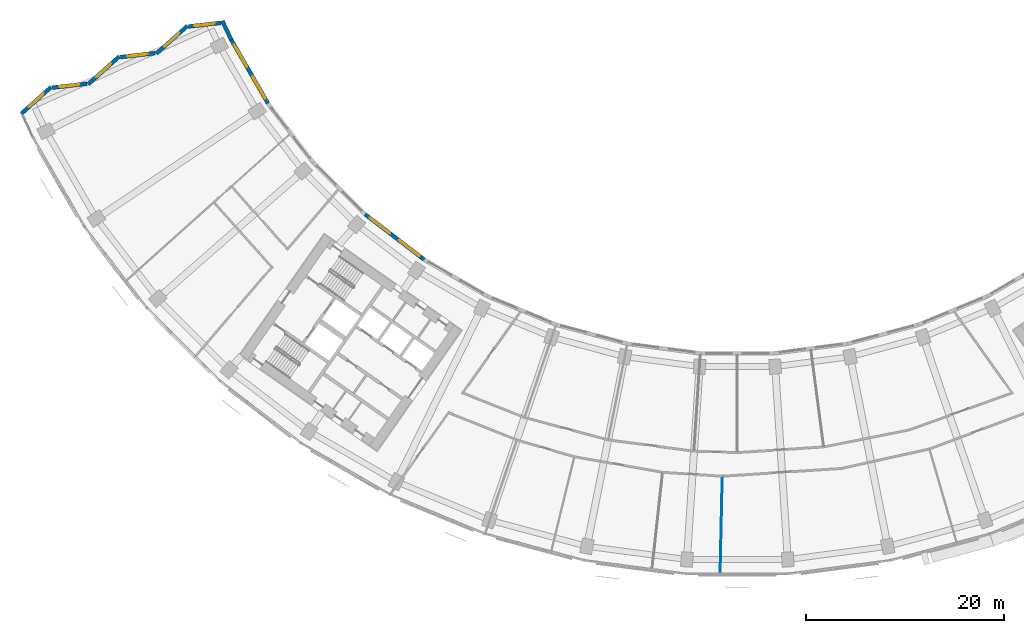
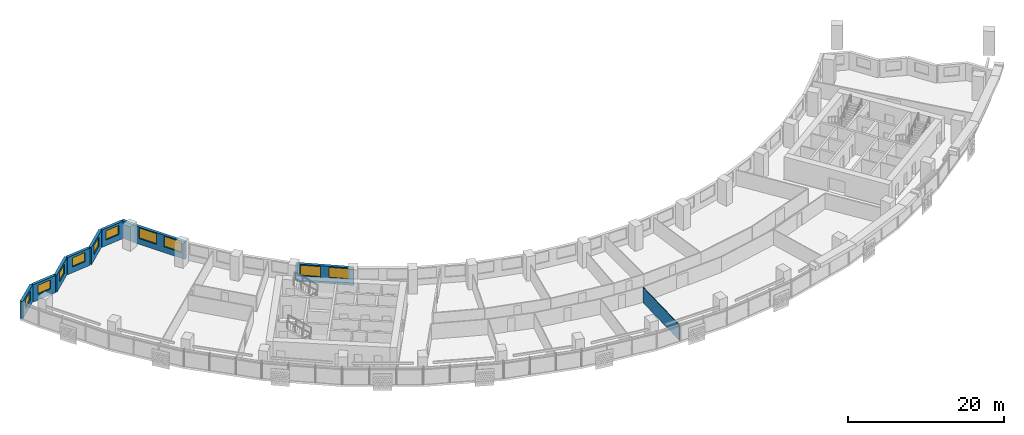
# One storey, part 5 of 29: 10 walls, 10 windows, 10 openings.
"""IFC4 building model written with IfcOpenShell, lengths in metres."""

from ifc_helpers import new_model, si_unit, direction, frame, frame_2d, origin, place, context, subcontext, project, spatial, rectangle, extrude, material, layer, layer_set, type_object, element, fill, save


model = new_model("IFC4")

# Units and contexts
model_context = context("Model", 3, precision=1e-05, world=origin(), true_north=direction((0.0, 1.0)))
body_context = subcontext(model_context, "Body", "Model", "MODEL_VIEW")
ifc_project = project(units=[si_unit("LENGTHUNIT", "METRE"), si_unit("AREAUNIT", "SQUARE_METRE"), si_unit("VOLUMEUNIT", "CUBIC_METRE"), si_unit("PLANEANGLEUNIT", "RADIAN"), si_unit("MASSUNIT", "GRAM", prefix="KILO")], contexts=[model_context])

# Site, building, storey
site_placement = place(None, origin())
site = spatial("IfcSite", under=ifc_project, at=site_placement, CompositionType="ELEMENT")
building_placement = place(site_placement, origin())
building = spatial("IfcBuilding", under=site, at=building_placement, Name="Qamariyya Broadcast Tower", CompositionType="ELEMENT")
storey_placement = place(building_placement, frame((0.0, 0.0, 121.5)))
storey = spatial("IfcBuildingStorey", under=building, at=storey_placement, Name="L27", CompositionType="ELEMENT", Elevation=121.5)

# Wall
ifc_material_1 = material(Name="Gypsum board partition")
ifc_layer_1 = layer(ifc_material_1, 0.10009765625)
ifc_layer_set_1 = layer_set([ifc_layer_1], Name="Partition 100")
wall_type_1 = type_object("IfcWallType", Name="Partition 100", PredefinedType="PARTITIONING", material=ifc_layer_set_1)
wall_1_placement = place(storey_placement, frame((-1.724365234375, -78.93017578125, 0.0), z_axis=(0.0, 0.0, 1.0), x_axis=(0.021829960086, 0.999761698027, 0.0)))
element("IfcWall", 1, at=wall_1_placement, inside=storey, type_object=wall_type_1, Name="Partition L27-024", PredefinedType="PARTITIONING", context=body_context, shape_type="SweptSolid", body=[
    extrude(rectangle(XDim=9.673828125, YDim=0.10009765625, at=frame_2d((4.8369140625, 0.0))), origin(), (0.0, 0.0, 1.0), 2.39990234375),
])

# Wall, opening, window
ifc_material_2 = material(Name="Terracotta", Category="masonry")
ifc_layer_2 = layer(ifc_material_2, 0.39990234375)
ifc_layer_set_2 = layer_set([ifc_layer_2], Name="Terracotta clad wall 400")
wall_type_2 = type_object("IfcWallType", Name="Terracotta clad wall 400", PredefinedType="SOLIDWALL", material=ifc_layer_set_2)
wall_2_placement = place(storey_placement, frame((-52.099853515625, -23.4541015625, 0.0), z_axis=(0.0, 0.0, 1.0), x_axis=(-0.993679350529, -0.112255727395, 0.0)))
wall_2 = element("IfcWall", 2, at=wall_2_placement, inside=storey, type_object=wall_type_2, Name="e-wl-L27-capW0", PredefinedType="SOLIDWALL", context=body_context, shape_type="SweptSolid", body=[
    extrude(rectangle(XDim=3.275390625, YDim=0.39990234375, at=frame_2d((1.6376953125, 0.0))), origin(), (0.0, 0.0, 1.0), 2.699951171875),
])
opening_1_placement = place(wall_2_placement, frame((0.6376953125, 0.0, 0.89990234375)))
opening_1 = element("IfcOpeningElement", 3, at=opening_1_placement, cuts=wall_2, Name="Opening W4", PredefinedType="OPENING", context=body_context, shape_type="SweptSolid", body=[
    extrude(rectangle(XDim=2.0, YDim=1.425048828125, at=frame_2d((1.0, 0.71240234375))), frame((0.0, 0.2099609375, 0.0), z_axis=(0.0, -1.0, 0.0), x_axis=(1.0, 0.0, 0.0)), (0.0, 0.0, 1.0), 0.419921875),
])
ifc_material_3 = material(Name="Clear low-e double glazed unit in aluminium frame", Category="aluminium")
window_type_1 = type_object("IfcWindowType", Name="Horn bay window 2000 x 1425", PartitioningType="SINGLE_PANEL", PredefinedType="WINDOW", material=ifc_material_3)
window_1_placement = place(opening_1_placement, origin())
window_1 = element("IfcWindow", 4, at=window_1_placement, inside=storey, type_object=window_type_1, Name="e-w-L27-capW0", OverallHeight=1.425048828125, OverallWidth=2.0, PartitioningType="SINGLE_PANEL", PredefinedType="WINDOW", context=body_context, shape_type="SweptSolid", body=[
    extrude(rectangle(XDim=2.0, YDim=1.425048828125, at=frame_2d((1.0, 0.71240234375))), frame((0.0, 0.030029296875, 0.0), z_axis=(0.0, -1.0, 0.0), x_axis=(1.0, 0.0, 0.0)), (0.0, 0.0, 1.0), 0.06005859375),
])
fill(opening_1, window_1)

wall_3_placement = place(storey_placement, frame((-55.476806640625, -23.7685546875, 0.0), z_axis=(0.0, 0.0, 1.0), x_axis=(-0.745659792419, -0.666326852206, 0.0)))
wall_3 = element("IfcWall", 5, at=wall_3_placement, inside=storey, type_object=wall_type_2, Name="e-wl-L27-capW1", PredefinedType="SOLIDWALL", context=body_context, shape_type="SweptSolid", body=[
    extrude(rectangle(XDim=4.194580078125, YDim=0.39990234375, at=frame_2d((2.09716796875, 0.0))), origin(), (0.0, 0.0, 1.0), 2.699951171875),
])
opening_2_placement = place(wall_3_placement, frame((1.09716796875, 0.0, 0.89990234375)))
opening_2 = element("IfcOpeningElement", 6, at=opening_2_placement, cuts=wall_3, Name="Opening W4", PredefinedType="OPENING", context=body_context, shape_type="SweptSolid", body=[
    extrude(rectangle(XDim=2.0, YDim=1.425048828125, at=frame_2d((1.0, 0.71240234375))), frame((0.0, 0.2099609375, 0.0), z_axis=(0.0, -1.0, 0.0), x_axis=(1.0, 0.0, 0.0)), (0.0, 0.0, 1.0), 0.419921875),
])
window_2_placement = place(opening_2_placement, origin())
window_2 = element("IfcWindow", 7, at=window_2_placement, inside=storey, type_object=window_type_1, Name="e-w-L27-capW1", OverallHeight=1.425048828125, OverallWidth=2.0, PartitioningType="SINGLE_PANEL", PredefinedType="WINDOW", context=body_context, shape_type="SweptSolid", body=[
    extrude(rectangle(XDim=2.0, YDim=1.425048828125, at=frame_2d((1.0, 0.71240234375))), frame((0.0, 0.030029296875, 0.0), z_axis=(0.0, -1.0, 0.0), x_axis=(1.0, 0.0, 0.0)), (0.0, 0.0, 1.0), 0.06005859375),
])
fill(opening_2, window_2)

wall_4_placement = place(storey_placement, frame((-58.7265625, -26.51025390625, 0.0), z_axis=(0.0, 0.0, 1.0), x_axis=(-0.993669026576, -0.112347076614, 0.0)))
wall_4 = element("IfcWall", 8, at=wall_4_placement, inside=storey, type_object=wall_type_2, Name="e-wl-L27-capW2", PredefinedType="SOLIDWALL", context=body_context, shape_type="SweptSolid", body=[
    extrude(rectangle(XDim=3.524658203125, YDim=0.39990234375, at=frame_2d((1.76220703125, 0.0))), origin(), (0.0, 0.0, 1.0), 2.699951171875),
])
opening_3_placement = place(wall_4_placement, frame((0.762451171875, 0.0, 0.89990234375)))
opening_3 = element("IfcOpeningElement", 9, at=opening_3_placement, cuts=wall_4, Name="Opening W4", PredefinedType="OPENING", context=body_context, shape_type="SweptSolid", body=[
    extrude(rectangle(XDim=2.0, YDim=1.425048828125, at=frame_2d((1.0, 0.71240234375))), frame((0.0, 0.2099609375, 0.0), z_axis=(0.0, -1.0, 0.0), x_axis=(1.0, 0.0, 0.0)), (0.0, 0.0, 1.0), 0.419921875),
])
window_3_placement = place(opening_3_placement, origin())
window_3 = element("IfcWindow", 10, at=window_3_placement, inside=storey, type_object=window_type_1, Name="e-w-L27-capW2", OverallHeight=1.425048828125, OverallWidth=2.0, PartitioningType="SINGLE_PANEL", PredefinedType="WINDOW", context=body_context, shape_type="SweptSolid", body=[
    extrude(rectangle(XDim=2.0, YDim=1.425048828125, at=frame_2d((1.0, 0.71240234375))), frame((0.0, 0.030029296875, 0.0), z_axis=(0.0, -1.0, 0.0), x_axis=(1.0, 0.0, 0.0)), (0.0, 0.0, 1.0), 0.06005859375),
])
fill(opening_3, window_3)

wall_5_placement = place(storey_placement, frame((-62.35107421875, -26.85302734375, 0.0), z_axis=(0.0, 0.0, 1.0), x_axis=(-0.745588393591, -0.66640674317, 0.0)))
wall_5 = element("IfcWall", 11, at=wall_5_placement, inside=storey, type_object=wall_type_2, Name="e-wl-L27-capW3", PredefinedType="SOLIDWALL", context=body_context, shape_type="SweptSolid", body=[
    extrude(rectangle(XDim=4.193359375, YDim=0.39990234375, at=frame_2d((2.0966796875, 0.0))), origin(), (0.0, 0.0, 1.0), 2.699951171875),
])
opening_4_placement = place(wall_5_placement, frame((1.0966796875, 0.0, 0.89990234375)))
opening_4 = element("IfcOpeningElement", 12, at=opening_4_placement, cuts=wall_5, Name="Opening W4", PredefinedType="OPENING", context=body_context, shape_type="SweptSolid", body=[
    extrude(rectangle(XDim=2.0, YDim=1.425048828125, at=frame_2d((1.0, 0.71240234375))), frame((0.0, 0.2099609375, 0.0), z_axis=(0.0, -1.0, 0.0), x_axis=(1.0, 0.0, 0.0)), (0.0, 0.0, 1.0), 0.419921875),
])
window_4_placement = place(opening_4_placement, origin())
window_4 = element("IfcWindow", 13, at=window_4_placement, inside=storey, type_object=window_type_1, Name="e-w-L27-capW3", OverallHeight=1.425048828125, OverallWidth=2.0, PartitioningType="SINGLE_PANEL", PredefinedType="WINDOW", context=body_context, shape_type="SweptSolid", body=[
    extrude(rectangle(XDim=2.0, YDim=1.425048828125, at=frame_2d((1.0, 0.71240234375))), frame((0.0, 0.030029296875, 0.0), z_axis=(0.0, -1.0, 0.0), x_axis=(1.0, 0.0, 0.0)), (0.0, 0.0, 1.0), 0.06005859375),
])
fill(opening_4, window_4)

wall_6_placement = place(storey_placement, frame((-65.599609375, -29.59423828125, 0.0), z_axis=(0.0, 0.0, 1.0), x_axis=(-0.993664791657, -0.11238452661, 0.0)))
wall_6 = element("IfcWall", 14, at=wall_6_placement, inside=storey, type_object=wall_type_2, Name="e-wl-L27-capW4", PredefinedType="SOLIDWALL", context=body_context, shape_type="SweptSolid", body=[
    extrude(rectangle(XDim=3.525634765625, YDim=0.39990234375, at=frame_2d((1.7626953125, 0.0))), origin(), (0.0, 0.0, 1.0), 2.699951171875),
])
opening_5_placement = place(wall_6_placement, frame((0.762939453125, 0.0, 0.89990234375)))
opening_5 = element("IfcOpeningElement", 15, at=opening_5_placement, cuts=wall_6, Name="Opening W4", PredefinedType="OPENING", context=body_context, shape_type="SweptSolid", body=[
    extrude(rectangle(XDim=2.0, YDim=1.425048828125, at=frame_2d((1.0, 0.71240234375))), frame((0.0, 0.2099609375, 0.0), z_axis=(0.0, -1.0, 0.0), x_axis=(1.0, 0.0, 0.0)), (0.0, 0.0, 1.0), 0.419921875),
])
window_5_placement = place(opening_5_placement, origin())
window_5 = element("IfcWindow", 16, at=window_5_placement, inside=storey, type_object=window_type_1, Name="e-w-L27-capW4", OverallHeight=1.425048828125, OverallWidth=2.0, PartitioningType="SINGLE_PANEL", PredefinedType="WINDOW", context=body_context, shape_type="SweptSolid", body=[
    extrude(rectangle(XDim=2.0, YDim=1.425048828125, at=frame_2d((1.0, 0.71240234375))), frame((0.0, 0.030029296875, 0.0), z_axis=(0.0, -1.0, 0.0), x_axis=(1.0, 0.0, 0.0)), (0.0, 0.0, 1.0), 0.06005859375),
])
fill(opening_5, window_5)

wall_7_placement = place(storey_placement, frame((-69.225341796875, -29.937255859375, 0.0), z_axis=(0.0, 0.0, 1.0), x_axis=(-0.745540338134, -0.666460504618, 0.0)))
wall_7 = element("IfcWall", 17, at=wall_7_placement, inside=storey, type_object=wall_type_2, Name="e-wl-L27-capW5", PredefinedType="SOLIDWALL", context=body_context, shape_type="SweptSolid", body=[
    extrude(rectangle(XDim=4.013427734375, YDim=0.39990234375, at=frame_2d((2.0068359375, 0.0))), origin(), (0.0, 0.0, 1.0), 2.699951171875),
])
opening_6_placement = place(wall_7_placement, frame((1.0068359375, 0.0, 0.89990234375)))
opening_6 = element("IfcOpeningElement", 18, at=opening_6_placement, cuts=wall_7, Name="Opening W4", PredefinedType="OPENING", context=body_context, shape_type="SweptSolid", body=[
    extrude(rectangle(XDim=2.0, YDim=1.425048828125, at=frame_2d((1.0, 0.71240234375))), frame((0.0, 0.2099609375, 0.0), z_axis=(0.0, -1.0, 0.0), x_axis=(1.0, 0.0, 0.0)), (0.0, 0.0, 1.0), 0.419921875),
])
window_6_placement = place(opening_6_placement, origin())
window_6 = element("IfcWindow", 19, at=window_6_placement, inside=storey, type_object=window_type_1, Name="e-w-L27-capW5", OverallHeight=1.425048828125, OverallWidth=2.0, PartitioningType="SINGLE_PANEL", PredefinedType="WINDOW", context=body_context, shape_type="SweptSolid", body=[
    extrude(rectangle(XDim=2.0, YDim=1.425048828125, at=frame_2d((1.0, 0.71240234375))), frame((0.0, 0.030029296875, 0.0), z_axis=(0.0, -1.0, 0.0), x_axis=(1.0, 0.0, 0.0)), (0.0, 0.0, 1.0), 0.06005859375),
])
fill(opening_6, window_6)

# Wall
wall_8_placement = place(storey_placement, frame((-51.023681640625, -25.18408203125, 0.0), z_axis=(0.0, 0.0, 1.0), x_axis=(-0.425890738809, 0.90477460099, 0.0)))
element("IfcWall", 20, at=wall_8_placement, inside=storey, type_object=wall_type_2, Name="e-wl-L27-in00", PredefinedType="SOLIDWALL", context=body_context, shape_type="SweptSolid", body=[
    extrude(rectangle(XDim=2.133056640625, YDim=0.39990234375, at=frame_2d((1.06640625, 0.0))), origin(), (0.0, 0.0, 1.0), 2.699951171875),
])

# Wall, openings, windows
wall_9_placement = place(storey_placement, frame((-47.33642578125, -31.568359375, 0.0), z_axis=(0.0, 0.0, 1.0), x_axis=(-0.499990592807, 0.866030834962, 0.0)))
wall_9 = element("IfcWall", 21, at=wall_9_placement, inside=storey, type_object=wall_type_2, Name="e-wl-L27-in10", PredefinedType="SOLIDWALL", context=body_context, shape_type="SweptSolid", body=[
    extrude(rectangle(XDim=7.356201171875, YDim=0.39990234375, at=frame_2d((3.67822265625, 0.0))), origin(), (0.0, 0.0, 1.0), 2.699951171875),
])
opening_7_placement = place(wall_9_placement, frame((4.224853515625, 0.0, 0.89990234375)))
opening_7 = element("IfcOpeningElement", 22, at=opening_7_placement, cuts=wall_9, Name="Opening W1", PredefinedType="OPENING", context=body_context, shape_type="SweptSolid", body=[
    extrude(rectangle(XDim=2.60009765625, YDim=1.64990234375, at=frame_2d((1.300048828125, 0.824951171875))), frame((0.0, 0.2099609375, 0.0), z_axis=(0.0, -1.0, 0.0), x_axis=(1.0, 0.0, 0.0)), (0.0, 0.0, 1.0), 0.419921875),
])
opening_8_placement = place(wall_9_placement, frame((0.5166015625, 0.0, 0.89990234375)))
opening_8 = element("IfcOpeningElement", 23, at=opening_8_placement, cuts=wall_9, Name="Opening W1", PredefinedType="OPENING", context=body_context, shape_type="SweptSolid", body=[
    extrude(rectangle(XDim=2.60009765625, YDim=1.64990234375, at=frame_2d((1.300048828125, 0.824951171875))), frame((0.0, 0.2099609375, 0.0), z_axis=(0.0, -1.0, 0.0), x_axis=(1.0, 0.0, 0.0)), (0.0, 0.0, 1.0), 0.419921875),
])
window_type_2 = type_object("IfcWindowType", Name="Ribbon window 2600 x 1650", PartitioningType="SINGLE_PANEL", PredefinedType="WINDOW", material=ifc_material_3)
window_7_placement = place(opening_7_placement, origin())
window_7 = element("IfcWindow", 24, at=window_7_placement, inside=storey, type_object=window_type_2, Name="e-w-L27-in01-0", OverallHeight=1.64990234375, OverallWidth=2.60009765625, PartitioningType="SINGLE_PANEL", PredefinedType="WINDOW", context=body_context, shape_type="SweptSolid", body=[
    extrude(rectangle(XDim=2.60009765625, YDim=1.64990234375, at=frame_2d((1.300048828125, 0.824951171875))), frame((0.0, 0.030029296875, 0.0), z_axis=(0.0, -1.0, 0.0), x_axis=(1.0, 0.0, 0.0)), (0.0, 0.0, 1.0), 0.06005859375),
])
fill(opening_7, window_7)
window_8_placement = place(opening_8_placement, origin())
window_8 = element("IfcWindow", 25, at=window_8_placement, inside=storey, type_object=window_type_2, Name="e-w-L27-in01-1", OverallHeight=1.64990234375, OverallWidth=2.60009765625, PartitioningType="SINGLE_PANEL", PredefinedType="WINDOW", context=body_context, shape_type="SweptSolid", body=[
    extrude(rectangle(XDim=2.60009765625, YDim=1.64990234375, at=frame_2d((1.300048828125, 0.824951171875))), frame((0.0, 0.030029296875, 0.0), z_axis=(0.0, -1.0, 0.0), x_axis=(1.0, 0.0, 0.0)), (0.0, 0.0, 1.0), 0.06005859375),
])
fill(opening_8, window_8)

wall_10_placement = place(storey_placement, frame((-31.59228515625, -47.326171875, 0.0), z_axis=(0.0, 0.0, 1.0), x_axis=(-0.793363487476, 0.608748204711, 0.0)))
wall_10 = element("IfcWall", 26, at=wall_10_placement, inside=storey, type_object=wall_type_2, Name="e-wl-L27-in40", PredefinedType="SOLIDWALL", context=body_context, shape_type="SweptSolid", body=[
    extrude(rectangle(XDim=7.492919921875, YDim=0.39990234375, at=frame_2d((3.74658203125, 0.0))), origin(), (0.0, 0.0, 1.0), 2.699951171875),
])
opening_9_placement = place(wall_10_placement, frame((4.300537109375, 0.0, 0.89990234375)))
opening_9 = element("IfcOpeningElement", 27, at=opening_9_placement, cuts=wall_10, Name="Opening W1", PredefinedType="OPENING", context=body_context, shape_type="SweptSolid", body=[
    extrude(rectangle(XDim=2.60009765625, YDim=1.64990234375, at=frame_2d((1.300048828125, 0.824951171875))), frame((0.0, 0.2099609375, 0.0), z_axis=(0.0, -1.0, 0.0), x_axis=(1.0, 0.0, 0.0)), (0.0, 0.0, 1.0), 0.419921875),
])
opening_10_placement = place(wall_10_placement, frame((0.59228515625, 0.0, 0.89990234375)))
opening_10 = element("IfcOpeningElement", 28, at=opening_10_placement, cuts=wall_10, Name="Opening W1", PredefinedType="OPENING", context=body_context, shape_type="SweptSolid", body=[
    extrude(rectangle(XDim=2.60009765625, YDim=1.64990234375, at=frame_2d((1.300048828125, 0.824951171875))), frame((0.0, 0.2099609375, 0.0), z_axis=(0.0, -1.0, 0.0), x_axis=(1.0, 0.0, 0.0)), (0.0, 0.0, 1.0), 0.419921875),
])
window_9_placement = place(opening_9_placement, origin())
window_9 = element("IfcWindow", 29, at=window_9_placement, inside=storey, type_object=window_type_2, Name="e-w-L27-in04-0", OverallHeight=1.64990234375, OverallWidth=2.60009765625, PartitioningType="SINGLE_PANEL", PredefinedType="WINDOW", context=body_context, shape_type="SweptSolid", body=[
    extrude(rectangle(XDim=2.60009765625, YDim=1.64990234375, at=frame_2d((1.300048828125, 0.824951171875))), frame((0.0, 0.030029296875, 0.0), z_axis=(0.0, -1.0, 0.0), x_axis=(1.0, 0.0, 0.0)), (0.0, 0.0, 1.0), 0.06005859375),
])
fill(opening_9, window_9)
window_10_placement = place(opening_10_placement, origin())
window_10 = element("IfcWindow", 30, at=window_10_placement, inside=storey, type_object=window_type_2, Name="e-w-L27-in04-1", OverallHeight=1.64990234375, OverallWidth=2.60009765625, PartitioningType="SINGLE_PANEL", PredefinedType="WINDOW", context=body_context, shape_type="SweptSolid", body=[
    extrude(rectangle(XDim=2.60009765625, YDim=1.64990234375, at=frame_2d((1.300048828125, 0.824951171875))), frame((0.0, 0.030029296875, 0.0), z_axis=(0.0, -1.0, 0.0), x_axis=(1.0, 0.0, 0.0)), (0.0, 0.0, 1.0), 0.06005859375),
])
fill(opening_10, window_10)

save(model, "model.ifc")
